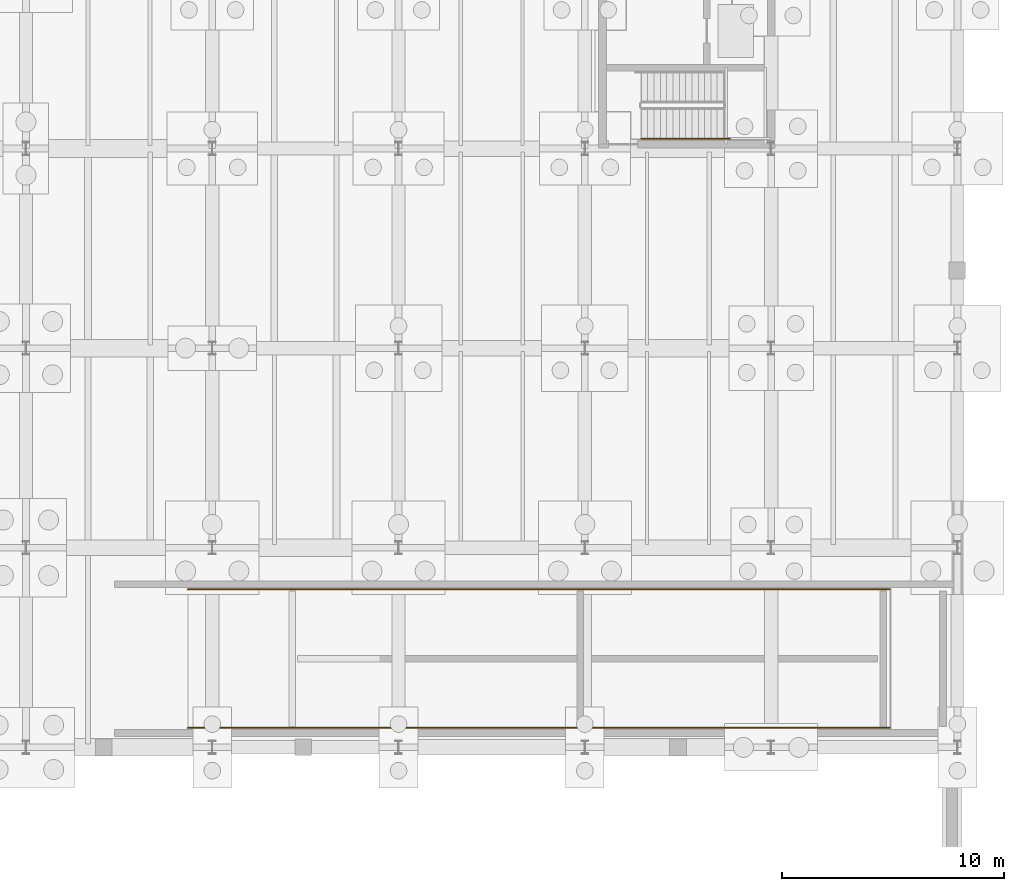
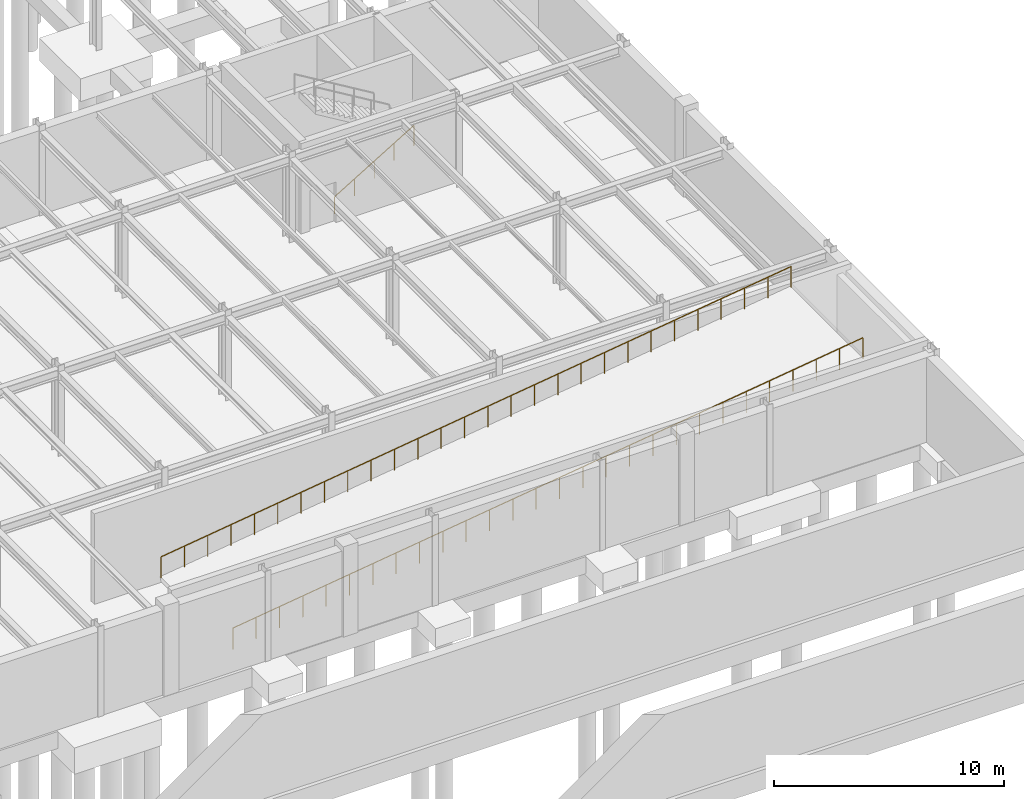
# One storey, part 56 of 59: 3 railings.
"""IFC4 building model written with IfcOpenShell, lengths in metres."""

import ifcopenshell
import ifcopenshell.guid

model = None  # the IFC model being written
_history = None  # IfcOwnerHistory: only IFC2X3 demands one
_inside = {}  # id of a spatial element -> (the spatial element, [elements in it])
_under = {}  # id of a project, library or spatial element -> (it, [spatial elements below it])
_declared = {}  # id of a project -> (the project, [libraries it declares])
_typed = {}  # id of a type object -> (the type object, [elements of that type])
_made_of = {}  # id of a material, layer set ... -> (it, [elements and type objects made of it])


def new_model(schema):
    """Start an empty IFC model of exactly this schema.

    Asked for "IFC4X3", IfcOpenShell would pick the latest addendum, in which some entities
    have other attributes; the version numbers below select the first issue.
    IFC2X3 requires an IfcOwnerHistory on every rooted entity: one is made here for all.
    """
    global model, _history
    if schema == "IFC4X3":
        model = ifcopenshell.file(schema_version=(4, 3, 0, 0))
    else:
        model = ifcopenshell.file(schema=schema)
    _inside.clear()
    _under.clear()
    _declared.clear()
    _typed.clear()
    _made_of.clear()
    _history = None
    if model.schema == "IFC2X3":
        org = make("IfcOrganization", Name="unknown")
        user = make(
            "IfcPersonAndOrganization",
            ThePerson=make("IfcPerson", FamilyName="unknown"),
            TheOrganization=org,
        )
        app = make(
            "IfcApplication",
            ApplicationDeveloper=org,
            Version="unknown",
            ApplicationFullName="unknown",
            ApplicationIdentifier="unknown",
        )
        _history = make(
            "IfcOwnerHistory",
            OwningUser=user,
            OwningApplication=app,
            ChangeAction="ADDED",
            CreationDate=0,
        )
    return model


def make(cls, **values):
    """One entity of the class cls with the attributes given. An attribute that is None is left unset."""
    return model.create_entity(
        cls, **{name: value for name, value in values.items() if value is not None}
    )


def rooted(cls, **values):
    """An entity with a GlobalId (a new one), such as an element, a storey or a relation."""
    return make(cls, GlobalId=ifcopenshell.guid.new(), OwnerHistory=_history, **values)


def si_unit(unit_type, name, prefix=None):
    """IfcSIUnit, for example si_unit("LENGTHUNIT", "METRE", prefix="MILLI")."""
    return make("IfcSIUnit", UnitType=unit_type, Prefix=prefix, Name=name)


def assignment(units):
    """IfcUnitAssignment: the units of a project."""
    return None if units is None else make("IfcUnitAssignment", Units=units)


def point(xyz):
    """IfcCartesianPoint."""
    return None if xyz is None else make("IfcCartesianPoint", Coordinates=xyz)


def direction(xyz):
    """IfcDirection."""
    return None if xyz is None else make("IfcDirection", DirectionRatios=xyz)


def frame(location, z_axis=None, x_axis=None):
    """IfcAxis2Placement3D, a coordinate frame: its origin and axes. An axis left out is left unset."""
    return make(
        "IfcAxis2Placement3D",
        Location=point(location),
        Axis=direction(z_axis),
        RefDirection=direction(x_axis),
    )


def frame_2d(location, x_axis=None):
    """IfcAxis2Placement2D, a coordinate frame in the plane: its origin and x axis."""
    return make(
        "IfcAxis2Placement2D", Location=point(location), RefDirection=direction(x_axis)
    )


def origin():
    """The frame at (0, 0, 0) with its axes left unset."""
    return frame((0.0, 0.0, 0.0))


def origin_2d():
    """The frame at (0, 0) in the plane with its x axis left unset."""
    return frame_2d((0.0, 0.0))


def place(relative_to, where):
    """IfcLocalPlacement: puts the frame where relative to a parent placement (None: the world)."""
    return make(
        "IfcLocalPlacement", PlacementRelTo=relative_to, RelativePlacement=where
    )


def context(
    kind, dimensions, precision=None, world=None, true_north=None, identifier=None
):
    """IfcGeometricRepresentationContext, for example the 3D "Model" context."""
    return make(
        "IfcGeometricRepresentationContext",
        ContextIdentifier=identifier,
        ContextType=kind,
        CoordinateSpaceDimension=dimensions,
        Precision=precision,
        WorldCoordinateSystem=world,
        TrueNorth=true_north,
    )


def subcontext(parent, identifier, kind, view, scale=None):
    """IfcGeometricRepresentationSubContext, for example "Body" below "Model"."""
    return make(
        "IfcGeometricRepresentationSubContext",
        ContextIdentifier=identifier,
        ContextType=kind,
        ParentContext=parent,
        TargetScale=scale,
        TargetView=view,
    )


def project(units=None, contexts=None):
    """IfcProject with its units and contexts."""
    return rooted(
        "IfcProject",
        Name="project",
        RepresentationContexts=contexts,
        UnitsInContext=assignment(units),
    )


def spatial(cls, under=None, at=None, **own):
    """A site, building, storey or space (cls), placed at a placement, below another one or the project."""
    s = rooted(cls, ObjectPlacement=at, **own)
    if under is not None:
        _under.setdefault(under.id(), (under, []))[1].append(s)
    return s


def profile(cls, at=None, kind="AREA", **sizes):
    """A parametric profile (cls). Its sizes go by their IFC names, for example OverallWidth=200.0."""
    return make(cls, ProfileType=kind, Position=at, **sizes)


def circle(**sizes):
    """IfcCircleProfileDef."""
    return profile("IfcCircleProfileDef", **sizes)


def extrude(swept, where, along, depth):
    """IfcExtrudedAreaSolid: the profile swept, set in the frame where, extruded along a direction by depth."""
    return make(
        "IfcExtrudedAreaSolid",
        SweptArea=swept,
        Position=where,
        ExtrudedDirection=direction(along),
        Depth=depth,
    )


def shape(context_of_items, identifier, shape_type, items):
    """IfcShapeRepresentation: the items that make up one representation, for example the "Body"."""
    return make(
        "IfcShapeRepresentation",
        ContextOfItems=context_of_items,
        RepresentationIdentifier=identifier,
        RepresentationType=shape_type,
        Items=items,
    )


def material(Name=None, Category=None):
    """IfcMaterial."""
    return make("IfcMaterial", Name=Name, Category=Category)


def layer(
    of_material, thickness, ventilated=None, Name=None, Category=None, Priority=None
):
    """IfcMaterialLayer: one layer of a wall or slab, of a material (None: an air gap)."""
    return make(
        "IfcMaterialLayer",
        Material=of_material,
        LayerThickness=thickness,
        IsVentilated=ventilated,
        Name=Name,
        Category=Category,
        Priority=Priority,
    )


def layer_set(layers, Name=None):
    """IfcMaterialLayerSet."""
    return make("IfcMaterialLayerSet", MaterialLayers=layers, LayerSetName=Name)


def made_of(thing, what):
    """Note that an element or type object is made of a material, layer set ...; save() writes the relation."""
    if what is not None:
        _made_of.setdefault(what.id(), (what, []))[1].append(thing)
    return thing


def type_object(cls, material=None, **own):
    """A type object (cls), such as IfcWallType, which elements share."""
    return made_of(rooted(cls, **own), material)


def element(
    cls,
    number,
    at=None,
    inside=None,
    cuts=None,
    type_object=None,
    material=None,
    context=None,
    identifier="Body",
    shape_type=None,
    held_by="IfcProductDefinitionShape",
    body=None,
    shapes=None,
    **own,
):
    """One element of the class cls, such as IfcWall. Its Tag is "e" and its number.

    at: its placement. inside: the storey or other place that contains it. cuts: it is an
    opening in that element (IfcRelVoidsElement). A single representation is given by context,
    identifier, shape_type and body (its items); several are given by shapes. held_by: the class
    of the entity that holds the representations. save() writes the other relations.
    """
    e = rooted(cls, Tag="e%d" % number, ObjectPlacement=at, **own)
    if body is not None:
        shapes = [shape(context, identifier, shape_type, body)]
    if shapes is not None:
        e.Representation = make(held_by, Representations=shapes)
    if inside is not None:
        _inside.setdefault(inside.id(), (inside, []))[1].append(e)
    if cuts is not None:
        rooted(
            "IfcRelVoidsElement", RelatingBuildingElement=cuts, RelatedOpeningElement=e
        )
    if type_object is not None:
        _typed.setdefault(type_object.id(), (type_object, []))[1].append(e)
    return made_of(e, material)


def aggregate(whole, parts):
    """IfcRelAggregates: a whole, such as a stair, and the parts it consists of."""
    return rooted("IfcRelAggregates", RelatingObject=whole, RelatedObjects=parts)


def save(model, path):
    """Write the relations noted so far, then the file.

    IfcRelAggregates (storeys below a building ...), IfcRelContainedInSpatialStructure (elements
    in a storey), IfcRelDefinesByType, IfcRelAssociatesMaterial and IfcRelDeclares: one each for
    every whole, place, type object, material and project.
    """
    for whole, parts in _under.values():
        aggregate(whole, parts)
    for where, things in _inside.values():
        rooted(
            "IfcRelContainedInSpatialStructure",
            RelatedElements=things,
            RelatingStructure=where,
        )
    for kind, things in _typed.values():
        rooted("IfcRelDefinesByType", RelatedObjects=things, RelatingType=kind)
    for what, things in _made_of.values():
        rooted("IfcRelAssociatesMaterial", RelatedObjects=things, RelatingMaterial=what)
    for by, libraries in _declared.values():
        rooted("IfcRelDeclares", RelatingContext=by, RelatedDefinitions=libraries)
    model.write(path)


model = new_model("IFC4")

# Units and contexts
model_context = context("Model", 3, precision=1e-05, world=origin(), true_north=direction((0.0, 1.0)))
body_context = subcontext(model_context, "Body", "Model", "MODEL_VIEW")
ifc_project = project(units=[si_unit("LENGTHUNIT", "METRE"), si_unit("AREAUNIT", "SQUARE_METRE"), si_unit("VOLUMEUNIT", "CUBIC_METRE"), si_unit("PLANEANGLEUNIT", "RADIAN"), si_unit("MASSUNIT", "GRAM", prefix="KILO")], contexts=[model_context])

# Site, building, storey
site_placement = place(None, origin())
site = spatial("IfcSite", under=ifc_project, at=site_placement, CompositionType="ELEMENT")
building_placement = place(site_placement, origin())
building = spatial("IfcBuilding", under=site, at=building_placement, Name="Montealbar Specialist Clinic", CompositionType="ELEMENT")
storey_placement = place(building_placement, frame((0.0, 0.0, -4.800048828125)))
storey = spatial("IfcBuildingStorey", under=building, at=storey_placement, Name="B01", CompositionType="ELEMENT", Elevation=-4.800048828125)

# Railings
ifc_material = material(Name="Steel S355", Category="steel")
ifc_layer_1 = layer(ifc_material, 0.06005859375, Name="Steel S355", Category="steel")
ifc_layer_set_1 = layer_set([ifc_layer_1], Name="Steel S355")
railing_type_1 = type_object("IfcRailingType", Name="RAIL-INT-BAL-1100", PredefinedType="BALUSTRADE", material=ifc_layer_set_1)
railing_1_placement = place(storey_placement, frame((127.300048828125, 18.8798828125, 0.321044921875)))
element("IfcRailing", 1, at=railing_1_placement, inside=storey, type_object=railing_type_1, Name="Vehicle Ramp Flight Guard S", PredefinedType="BALUSTRADE", context=body_context, shape_type="SweptSolid", body=[
    extrude(circle(Radius=0.02392578125, at=origin_2d()), frame((0.0, 0.0, 1.09619140625), z_axis=(0.990728508919, 0.0, 0.135856621539), x_axis=(0.0, 1.0, 0.0)), (0.0, 0.0, 1.0), 31.946044921875),
    extrude(circle(Radius=0.02099609375, at=origin_2d()), frame((0.0, 0.0, -0.02490234375)), (0.0, 0.0, 1.0), 1.096923828125),
    extrude(circle(Radius=0.02099609375, at=origin_2d()), frame((1.172119140625, 0.0, 0.1357421875)), (0.0, 0.0, 1.0), 1.096923828125),
    extrude(circle(Radius=0.02099609375, at=origin_2d()), frame((2.344482421875, 0.0, 0.29638671875)), (0.0, 0.0, 1.0), 1.096923828125),
    extrude(circle(Radius=0.02099609375, at=origin_2d()), frame((3.5166015625, 0.0, 0.457275390625)), (0.0, 0.0, 1.0), 1.096923828125),
    extrude(circle(Radius=0.02099609375, at=origin_2d()), frame((4.68896484375, 0.0, 0.617919921875)), (0.0, 0.0, 1.0), 1.096923828125),
    extrude(circle(Radius=0.02099609375, at=origin_2d()), frame((5.861083984375, 0.0, 0.77880859375)), (0.0, 0.0, 1.0), 1.096923828125),
    extrude(circle(Radius=0.02099609375, at=origin_2d()), frame((7.033203125, 0.0, 0.939453125)), (0.0, 0.0, 1.0), 1.096923828125),
    extrude(circle(Radius=0.02099609375, at=origin_2d()), frame((8.20556640625, 0.0, 1.10009765625)), (0.0, 0.0, 1.0), 1.096923828125),
    extrude(circle(Radius=0.02099609375, at=origin_2d()), frame((9.377685546875, 0.0, 1.260986328125)), (0.0, 0.0, 1.0), 1.096923828125),
    extrude(circle(Radius=0.02099609375, at=origin_2d()), frame((10.550048828125, 0.0, 1.421630859375)), (0.0, 0.0, 1.0), 1.096923828125),
    extrude(circle(Radius=0.02099609375, at=origin_2d()), frame((11.72216796875, 0.0, 1.58251953125)), (0.0, 0.0, 1.0), 1.096923828125),
    extrude(circle(Radius=0.02099609375, at=origin_2d()), frame((12.894287109375, 0.0, 1.7431640625)), (0.0, 0.0, 1.0), 1.096923828125),
    extrude(circle(Radius=0.02099609375, at=origin_2d()), frame((14.066650390625, 0.0, 1.90380859375)), (0.0, 0.0, 1.0), 1.096923828125),
    extrude(circle(Radius=0.02099609375, at=origin_2d()), frame((15.23876953125, 0.0, 2.064697265625)), (0.0, 0.0, 1.0), 1.096923828125),
    extrude(circle(Radius=0.02099609375, at=origin_2d()), frame((16.4111328125, 0.0, 2.225341796875)), (0.0, 0.0, 1.0), 1.096923828125),
    extrude(circle(Radius=0.02099609375, at=origin_2d()), frame((17.583251953125, 0.0, 2.38623046875)), (0.0, 0.0, 1.0), 1.096923828125),
    extrude(circle(Radius=0.02099609375, at=origin_2d()), frame((18.755615234375, 0.0, 2.546875)), (0.0, 0.0, 1.0), 1.096923828125),
    extrude(circle(Radius=0.02099609375, at=origin_2d()), frame((19.927734375, 0.0, 2.707763671875)), (0.0, 0.0, 1.0), 1.096923828125),
    extrude(circle(Radius=0.02099609375, at=origin_2d()), frame((21.099853515625, 0.0, 2.868408203125)), (0.0, 0.0, 1.0), 1.096923828125),
    extrude(circle(Radius=0.02099609375, at=origin_2d()), frame((22.272216796875, 0.0, 3.029052734375)), (0.0, 0.0, 1.0), 1.096923828125),
    extrude(circle(Radius=0.02099609375, at=origin_2d()), frame((23.4443359375, 0.0, 3.18994140625)), (0.0, 0.0, 1.0), 1.096923828125),
    extrude(circle(Radius=0.02099609375, at=origin_2d()), frame((24.61669921875, 0.0, 3.3505859375)), (0.0, 0.0, 1.0), 1.096923828125),
    extrude(circle(Radius=0.02099609375, at=origin_2d()), frame((25.788818359375, 0.0, 3.511474609375)), (0.0, 0.0, 1.0), 1.096923828125),
    extrude(circle(Radius=0.02099609375, at=origin_2d()), frame((26.9609375, 0.0, 3.672119140625)), (0.0, 0.0, 1.0), 1.096923828125),
    extrude(circle(Radius=0.02099609375, at=origin_2d()), frame((28.13330078125, 0.0, 3.832763671875)), (0.0, 0.0, 1.0), 1.096923828125),
    extrude(circle(Radius=0.02099609375, at=origin_2d()), frame((29.305419921875, 0.0, 3.99365234375)), (0.0, 0.0, 1.0), 1.096923828125),
    extrude(circle(Radius=0.02099609375, at=origin_2d()), frame((30.477783203125, 0.0, 4.154296875)), (0.0, 0.0, 1.0), 1.096923828125),
    extrude(circle(Radius=0.02099609375, at=origin_2d()), frame((31.64990234375, 0.0, 4.315185546875)), (0.0, 0.0, 1.0), 1.096923828125),
])
railing_2_placement = place(storey_placement, frame((127.300048828125, 25.1201171875, 0.321044921875)))
element("IfcRailing", 2, at=railing_2_placement, inside=storey, type_object=railing_type_1, Name="Vehicle Ramp Flight Guard N", PredefinedType="BALUSTRADE", context=body_context, shape_type="SweptSolid", body=[
    extrude(circle(Radius=0.02392578125, at=origin_2d()), frame((0.0, 0.0, 1.09619140625), z_axis=(0.990728508919, 0.0, 0.135856621539), x_axis=(0.0, 1.0, 0.0)), (0.0, 0.0, 1.0), 31.946044921875),
    extrude(circle(Radius=0.02099609375, at=origin_2d()), frame((0.0, 0.0, -0.02490234375)), (0.0, 0.0, 1.0), 1.096923828125),
    extrude(circle(Radius=0.02099609375, at=origin_2d()), frame((1.172119140625, 0.0, 0.1357421875)), (0.0, 0.0, 1.0), 1.096923828125),
    extrude(circle(Radius=0.02099609375, at=origin_2d()), frame((2.344482421875, 0.0, 0.29638671875)), (0.0, 0.0, 1.0), 1.096923828125),
    extrude(circle(Radius=0.02099609375, at=origin_2d()), frame((3.5166015625, 0.0, 0.457275390625)), (0.0, 0.0, 1.0), 1.096923828125),
    extrude(circle(Radius=0.02099609375, at=origin_2d()), frame((4.68896484375, 0.0, 0.617919921875)), (0.0, 0.0, 1.0), 1.096923828125),
    extrude(circle(Radius=0.02099609375, at=origin_2d()), frame((5.861083984375, 0.0, 0.77880859375)), (0.0, 0.0, 1.0), 1.096923828125),
    extrude(circle(Radius=0.02099609375, at=origin_2d()), frame((7.033203125, 0.0, 0.939453125)), (0.0, 0.0, 1.0), 1.096923828125),
    extrude(circle(Radius=0.02099609375, at=origin_2d()), frame((8.20556640625, 0.0, 1.10009765625)), (0.0, 0.0, 1.0), 1.096923828125),
    extrude(circle(Radius=0.02099609375, at=origin_2d()), frame((9.377685546875, 0.0, 1.260986328125)), (0.0, 0.0, 1.0), 1.096923828125),
    extrude(circle(Radius=0.02099609375, at=origin_2d()), frame((10.550048828125, 0.0, 1.421630859375)), (0.0, 0.0, 1.0), 1.096923828125),
    extrude(circle(Radius=0.02099609375, at=origin_2d()), frame((11.72216796875, 0.0, 1.58251953125)), (0.0, 0.0, 1.0), 1.096923828125),
    extrude(circle(Radius=0.02099609375, at=origin_2d()), frame((12.894287109375, 0.0, 1.7431640625)), (0.0, 0.0, 1.0), 1.096923828125),
    extrude(circle(Radius=0.02099609375, at=origin_2d()), frame((14.066650390625, 0.0, 1.90380859375)), (0.0, 0.0, 1.0), 1.096923828125),
    extrude(circle(Radius=0.02099609375, at=origin_2d()), frame((15.23876953125, 0.0, 2.064697265625)), (0.0, 0.0, 1.0), 1.096923828125),
    extrude(circle(Radius=0.02099609375, at=origin_2d()), frame((16.4111328125, 0.0, 2.225341796875)), (0.0, 0.0, 1.0), 1.096923828125),
    extrude(circle(Radius=0.02099609375, at=origin_2d()), frame((17.583251953125, 0.0, 2.38623046875)), (0.0, 0.0, 1.0), 1.096923828125),
    extrude(circle(Radius=0.02099609375, at=origin_2d()), frame((18.755615234375, 0.0, 2.546875)), (0.0, 0.0, 1.0), 1.096923828125),
    extrude(circle(Radius=0.02099609375, at=origin_2d()), frame((19.927734375, 0.0, 2.707763671875)), (0.0, 0.0, 1.0), 1.096923828125),
    extrude(circle(Radius=0.02099609375, at=origin_2d()), frame((21.099853515625, 0.0, 2.868408203125)), (0.0, 0.0, 1.0), 1.096923828125),
    extrude(circle(Radius=0.02099609375, at=origin_2d()), frame((22.272216796875, 0.0, 3.029052734375)), (0.0, 0.0, 1.0), 1.096923828125),
    extrude(circle(Radius=0.02099609375, at=origin_2d()), frame((23.4443359375, 0.0, 3.18994140625)), (0.0, 0.0, 1.0), 1.096923828125),
    extrude(circle(Radius=0.02099609375, at=origin_2d()), frame((24.61669921875, 0.0, 3.3505859375)), (0.0, 0.0, 1.0), 1.096923828125),
    extrude(circle(Radius=0.02099609375, at=origin_2d()), frame((25.788818359375, 0.0, 3.511474609375)), (0.0, 0.0, 1.0), 1.096923828125),
    extrude(circle(Radius=0.02099609375, at=origin_2d()), frame((26.9609375, 0.0, 3.672119140625)), (0.0, 0.0, 1.0), 1.096923828125),
    extrude(circle(Radius=0.02099609375, at=origin_2d()), frame((28.13330078125, 0.0, 3.832763671875)), (0.0, 0.0, 1.0), 1.096923828125),
    extrude(circle(Radius=0.02099609375, at=origin_2d()), frame((29.305419921875, 0.0, 3.99365234375)), (0.0, 0.0, 1.0), 1.096923828125),
    extrude(circle(Radius=0.02099609375, at=origin_2d()), frame((30.477783203125, 0.0, 4.154296875)), (0.0, 0.0, 1.0), 1.096923828125),
    extrude(circle(Radius=0.02099609375, at=origin_2d()), frame((31.64990234375, 0.0, 4.315185546875)), (0.0, 0.0, 1.0), 1.096923828125),
])
ifc_layer_2 = layer(ifc_material, 0.044921875, Name="Steel S355", Category="steel")
ifc_layer_set_2 = layer_set([ifc_layer_2], Name="Steel S355")
railing_type_2 = type_object("IfcRailingType", Name="RAIL-STAIR-HR-900", PredefinedType="HANDRAIL", material=ifc_layer_set_2)
railing_3_placement = place(storey_placement, frame((147.75, 45.449951171875, 0.17138671875)))
element("IfcRailing", 3, at=railing_3_placement, inside=storey, type_object=railing_type_2, Name="B01 ST-06 stair handrail 1", PredefinedType="HANDRAIL", context=body_context, shape_type="SweptSolid", body=[
    extrude(circle(Radius=0.02392578125, at=origin_2d()), frame((0.0, 0.0, 0.8759765625), z_axis=(0.856909445827, 0.0, 0.515466974357), x_axis=(0.0, 1.0, 0.0)), (0.0, 0.0, 1.0), 4.65625),
    extrude(circle(Radius=0.02099609375, at=origin_2d()), frame((0.0, 0.0, -0.02490234375)), (0.0, 0.0, 1.0), 0.876708984375),
    extrude(circle(Radius=0.02099609375, at=origin_2d()), frame((0.99755859375, 0.0, 0.574951171875)), (0.0, 0.0, 1.0), 0.876708984375),
    extrude(circle(Radius=0.02099609375, at=origin_2d()), frame((1.9951171875, 0.0, 1.175048828125)), (0.0, 0.0, 1.0), 0.876708984375),
    extrude(circle(Radius=0.02099609375, at=origin_2d()), frame((2.992431640625, 0.0, 1.775146484375)), (0.0, 0.0, 1.0), 0.876708984375),
    extrude(circle(Radius=0.02099609375, at=origin_2d()), frame((3.989990234375, 0.0, 2.203857421875)), (0.0, 0.0, 1.0), 1.048095703125),
])

save(model, "model.ifc")
